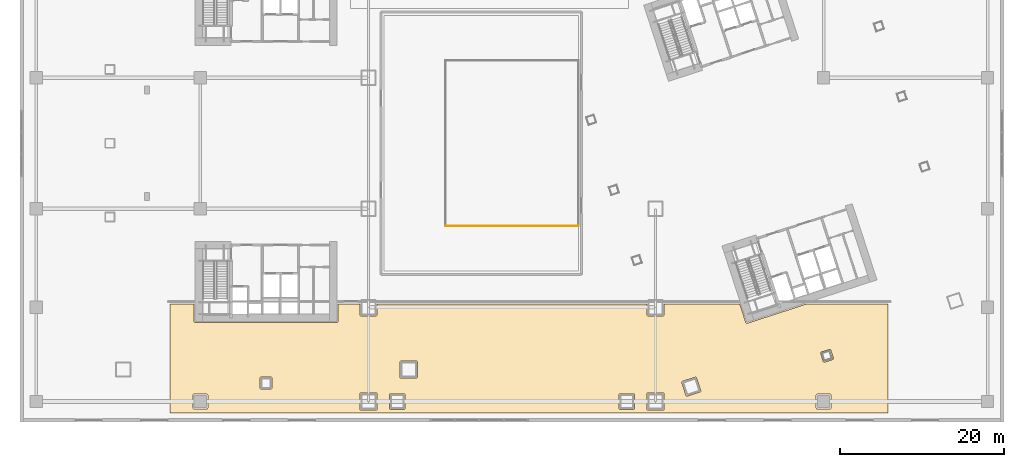
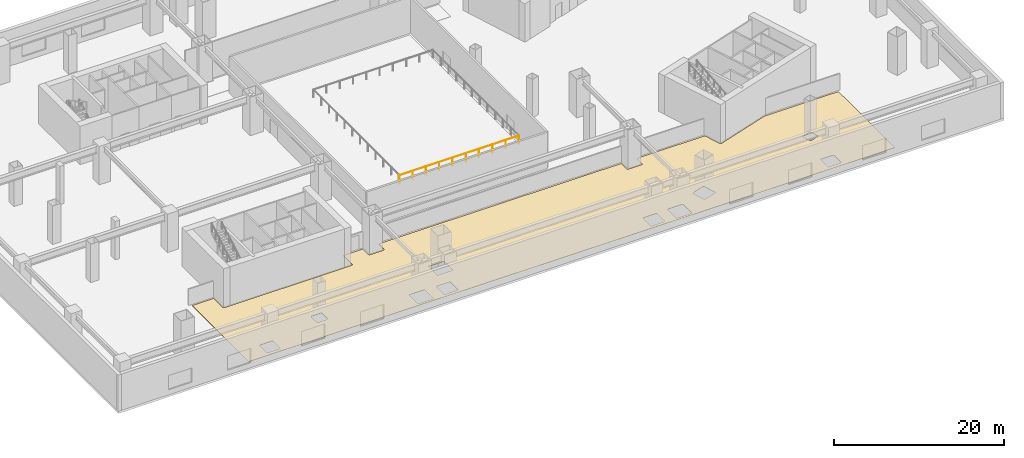
# One storey, part 31 of 35: 1 covering, 1 railing.
"""IFC4 building model written with IfcOpenShell, lengths in metres."""

from ifc_helpers import new_model, si_unit, direction, frame, origin, origin_2d, place, context, subcontext, project, spatial, polyline, circle, outline, extrude, material, layer, layer_set, type_object, element, save


model = new_model("IFC4")

# Units and contexts
model_context = context("Model", 3, precision=1e-05, world=origin(), true_north=direction((0.0, 1.0)))
body_context = subcontext(model_context, "Body", "Model", "MODEL_VIEW")
ifc_project = project(units=[si_unit("LENGTHUNIT", "METRE"), si_unit("AREAUNIT", "SQUARE_METRE"), si_unit("VOLUMEUNIT", "CUBIC_METRE"), si_unit("PLANEANGLEUNIT", "RADIAN"), si_unit("MASSUNIT", "GRAM", prefix="KILO")], contexts=[model_context])

# Site, building, storey
site_placement = place(None, origin())
site = spatial("IfcSite", under=ifc_project, at=site_placement, CompositionType="ELEMENT")
building_placement = place(site_placement, origin())
building = spatial("IfcBuilding", under=site, at=building_placement, Name="Qiaolan Cultural Towers", CompositionType="ELEMENT")
storey_placement = place(building_placement, frame((0.0, 0.0, 6.0)))
storey = spatial("IfcBuildingStorey", under=building, at=storey_placement, Name="L01", CompositionType="ELEMENT", Elevation=6.0)

# Covering
ifc_material_1 = material(Name="Honed Terrazzo & Raised Access Flooring", Category="concrete")
ifc_layer = layer(ifc_material_1, 0.0400390625)
ifc_layer_set = layer_set([ifc_layer], Name="Honed Terrazzo & Raised Access Flooring")
covering_type = type_object("IfcCoveringType", Name="COV-FLR-STONE", PredefinedType="FLOORING", material=ifc_layer_set)
covering_placement = place(storey_placement, origin())
element("IfcCovering", 1, at=covering_placement, inside=storey, type_object=covering_type, Name="L01 Auditorium South Exhibition Gallery Finish Flooring", PredefinedType="FLOORING", context=body_context, shape_type="SweptSolid", body=[
    extrude(outline(polyline([(78.550048828125, 13.070068359375), (78.54931640625, 13.058349609375), (78.547607421875, 13.046630859375), (78.544921875, 13.03515625), (78.540771484375, 13.024169921875), (78.535888671875, 13.013427734375), (78.52978515625, 13.00341796875), (78.522705078125, 12.993896484375), (78.514892578125, 12.985107421875), (78.506103515625, 12.977294921875), (78.49658203125, 12.97021484375), (78.486572265625, 12.964111328125), (78.475830078125, 12.959228515625), (78.46484375, 12.955078125), (78.453369140625, 12.952392578125), (78.441650390625, 12.95068359375), (78.429931640625, 12.949951171875), (76.570068359375, 12.949951171875), (76.558349609375, 12.95068359375), (76.546630859375, 12.952392578125), (76.53515625, 12.955078125), (76.524169921875, 12.959228515625), (76.513427734375, 12.964111328125), (76.50341796875, 12.97021484375), (76.493896484375, 12.977294921875), (76.485107421875, 12.985107421875), (76.477294921875, 12.993896484375), (76.47021484375, 13.00341796875), (76.464111328125, 13.013427734375), (76.459228515625, 13.024169921875), (76.455078125, 13.03515625), (76.452392578125, 13.046630859375), (76.45068359375, 13.058349609375), (76.449951171875, 13.070068359375), (76.449951171875, 14.3798828125), (43.550048828125, 14.3798828125), (43.550048828125, 13.070068359375), (43.54931640625, 13.058349609375), (43.547607421875, 13.046630859375), (43.544921875, 13.03515625), (43.540771484375, 13.024169921875), (43.535888671875, 13.013427734375), (43.52978515625, 13.00341796875), (43.522705078125, 12.993896484375), (43.514892578125, 12.985107421875), (43.506103515625, 12.977294921875), (43.49658203125, 12.97021484375), (43.486572265625, 12.964111328125), (43.475830078125, 12.959228515625), (43.46484375, 12.955078125), (43.453369140625, 12.952392578125), (43.441650390625, 12.95068359375), (43.429931640625, 12.949951171875), (41.570068359375, 12.949951171875), (41.558349609375, 12.95068359375), (41.546630859375, 12.952392578125), (41.53515625, 12.955078125), (41.524169921875, 12.959228515625), (41.513427734375, 12.964111328125), (41.50341796875, 12.97021484375), (41.493896484375, 12.977294921875), (41.485107421875, 12.985107421875), (41.477294921875, 12.993896484375), (41.47021484375, 13.00341796875), (41.464111328125, 13.013427734375), (41.459228515625, 13.024169921875), (41.455078125, 13.03515625), (41.452392578125, 13.046630859375), (41.45068359375, 13.058349609375), (41.449951171875, 13.070068359375), (41.449951171875, 14.3798828125), (38.77001953125, 14.3798828125), (38.77001953125, 12.25), (38.76953125, 12.23828125), (38.767578125, 12.2265625), (38.764892578125, 12.215087890625), (38.760986328125, 12.2041015625), (38.755859375, 12.193359375), (38.749755859375, 12.183349609375), (38.74267578125, 12.173828125), (38.73486328125, 12.1650390625), (38.72607421875, 12.1572265625), (38.716552734375, 12.150146484375), (38.70654296875, 12.144287109375), (38.69580078125, 12.13916015625), (38.684814453125, 12.13525390625), (38.67333984375, 12.13232421875), (38.661865234375, 12.130615234375), (38.64990234375, 12.1298828125), (21.35009765625, 12.1298828125), (21.338134765625, 12.130615234375), (21.32666015625, 12.13232421875), (21.315185546875, 12.13525390625), (21.30419921875, 12.13916015625), (21.29345703125, 12.144287109375), (21.283447265625, 12.150146484375), (21.27392578125, 12.1572265625), (21.26513671875, 12.1650390625), (21.25732421875, 12.173828125), (21.250244140625, 12.183349609375), (21.244140625, 12.193359375), (21.239013671875, 12.2041015625), (21.235107421875, 12.215087890625), (21.232421875, 12.2265625), (21.23046875, 12.23828125), (21.22998046875, 12.25), (21.22998046875, 14.3798828125), (18.320068359375, 14.3798828125), (18.320068359375, 1.1201171875), (105.8798828125, 1.1201171875), (105.8798828125, 14.3798828125), (95.858154296875, 14.3798828125), (88.669677734375, 12.044189453125), (88.658203125, 12.041259765625), (88.646484375, 12.039306640625), (88.634765625, 12.038330078125), (88.623046875, 12.038818359375), (88.611328125, 12.040283203125), (88.599853515625, 12.04296875), (88.5888671875, 12.046630859375), (88.578125, 12.051513671875), (88.56787109375, 12.057373046875), (88.55810546875, 12.064208984375), (88.54931640625, 12.072021484375), (88.541259765625, 12.08056640625), (88.533935546875, 12.08984375), (88.52783203125, 12.099853515625), (88.5224609375, 12.1103515625), (88.518310546875, 12.121337890625), (87.784423828125, 14.3798828125), (78.550048828125, 14.3798828125), (78.550048828125, 13.070068359375)]), holes=[polyline([(99.205810546875, 7.76904296875), (99.207763671875, 7.757568359375), (99.20849609375, 7.745849609375), (99.208251953125, 7.734130859375), (99.206787109375, 7.722412109375), (99.2041015625, 7.7109375), (99.2001953125, 7.69970703125), (99.195556640625, 7.68896484375), (99.189697265625, 7.6787109375), (99.182861328125, 7.669189453125), (99.175048828125, 7.66015625), (99.16650390625, 7.652099609375), (99.1572265625, 7.64501953125), (99.147216796875, 7.638671875), (99.13671875, 7.633544921875), (99.125732421875, 7.62939453125), (98.117431640625, 7.3017578125), (98.106201171875, 7.298583984375), (98.094482421875, 7.296630859375), (98.082763671875, 7.2958984375), (98.071044921875, 7.296142578125), (98.059326171875, 7.2978515625), (98.0478515625, 7.30029296875), (98.03662109375, 7.30419921875), (98.02587890625, 7.308837890625), (98.015625, 7.314697265625), (98.006103515625, 7.321533203125), (97.997314453125, 7.329345703125), (97.9892578125, 7.337890625), (97.98193359375, 7.34716796875), (97.975830078125, 7.357177734375), (97.970458984375, 7.36767578125), (97.96630859375, 7.37890625), (97.638671875, 8.386962890625), (97.6357421875, 8.398193359375), (97.6337890625, 8.409912109375), (97.6328125, 8.421630859375), (97.63330078125, 8.433349609375), (97.634765625, 8.445068359375), (97.637451171875, 8.45654296875), (97.64111328125, 8.4677734375), (97.64599609375, 8.478515625), (97.65185546875, 8.48876953125), (97.65869140625, 8.498291015625), (97.666259765625, 8.507080078125), (97.675048828125, 8.51513671875), (97.684326171875, 8.5224609375), (97.6943359375, 8.52880859375), (97.704833984375, 8.533935546875), (97.7158203125, 8.5380859375), (98.723876953125, 8.86572265625), (98.7353515625, 8.86865234375), (98.746826171875, 8.87060546875), (98.758544921875, 8.87158203125), (98.7705078125, 8.87109375), (98.781982421875, 8.86962890625), (98.79345703125, 8.866943359375), (98.8046875, 8.86328125), (98.8154296875, 8.8583984375), (98.82568359375, 8.8525390625), (98.835205078125, 8.845703125), (98.84423828125, 8.838134765625), (98.852294921875, 8.82958984375), (98.859375, 8.820068359375), (98.86572265625, 8.810302734375), (98.870849609375, 8.799560546875), (98.875, 8.78857421875), (99.20263671875, 7.780517578125), (99.205810546875, 7.76904296875)]), polyline([(97.1005859375, 3.291748046875), (97.102294921875, 3.303466796875), (97.105224609375, 3.31494140625), (97.109130859375, 3.325927734375), (97.1142578125, 3.336669921875), (97.1201171875, 3.3466796875), (97.127197265625, 3.356201171875), (97.13525390625, 3.36474609375), (97.143798828125, 3.372802734375), (97.1533203125, 3.3798828125), (97.163330078125, 3.3857421875), (97.174072265625, 3.390869140625), (97.18505859375, 3.394775390625), (97.196533203125, 3.397705078125), (97.208251953125, 3.3994140625), (97.219970703125, 3.39990234375), (98.780029296875, 3.39990234375), (98.791748046875, 3.3994140625), (98.803466796875, 3.397705078125), (98.81494140625, 3.394775390625), (98.825927734375, 3.390869140625), (98.836669921875, 3.3857421875), (98.8466796875, 3.3798828125), (98.856201171875, 3.372802734375), (98.86474609375, 3.36474609375), (98.872802734375, 3.356201171875), (98.8798828125, 3.3466796875), (98.8857421875, 3.336669921875), (98.890869140625, 3.325927734375), (98.894775390625, 3.31494140625), (98.897705078125, 3.303466796875), (98.8994140625, 3.291748046875), (98.89990234375, 3.280029296875), (98.89990234375, 1.719970703125), (98.8994140625, 1.708251953125), (98.897705078125, 1.696533203125), (98.894775390625, 1.68505859375), (98.890869140625, 1.674072265625), (98.8857421875, 1.663330078125), (98.8798828125, 1.6533203125), (98.872802734375, 1.643798828125), (98.86474609375, 1.63525390625), (98.856201171875, 1.627197265625), (98.8466796875, 1.6201171875), (98.836669921875, 1.6142578125), (98.825927734375, 1.609130859375), (98.81494140625, 1.605224609375), (98.803466796875, 1.602294921875), (98.791748046875, 1.6005859375), (98.780029296875, 1.60009765625), (97.219970703125, 1.60009765625), (97.208251953125, 1.6005859375), (97.196533203125, 1.602294921875), (97.18505859375, 1.605224609375), (97.174072265625, 1.609130859375), (97.163330078125, 1.6142578125), (97.1533203125, 1.6201171875), (97.143798828125, 1.627197265625), (97.13525390625, 1.63525390625), (97.127197265625, 1.643798828125), (97.1201171875, 1.6533203125), (97.1142578125, 1.663330078125), (97.109130859375, 1.674072265625), (97.105224609375, 1.68505859375), (97.102294921875, 1.696533203125), (97.1005859375, 1.708251953125), (97.10009765625, 1.719970703125), (97.10009765625, 3.280029296875), (97.1005859375, 3.291748046875)]), polyline([(82.36962890625, 5.48583984375), (82.38134765625, 5.48779296875), (82.39306640625, 5.48876953125), (82.40478515625, 5.48828125), (82.41650390625, 5.48681640625), (82.427978515625, 5.484130859375), (82.439208984375, 5.48046875), (82.449951171875, 5.4755859375), (82.4599609375, 5.4697265625), (82.4697265625, 5.462890625), (82.478515625, 5.455322265625), (82.486572265625, 5.446533203125), (82.493896484375, 5.437255859375), (82.5, 5.42724609375), (82.50537109375, 5.416748046875), (82.509521484375, 5.40576171875), (83.0224609375, 3.8271484375), (83.025634765625, 3.815673828125), (83.027587890625, 3.803955078125), (83.0283203125, 3.792236328125), (83.02783203125, 3.780517578125), (83.0263671875, 3.768798828125), (83.02392578125, 3.75732421875), (83.02001953125, 3.746337890625), (83.01513671875, 3.735595703125), (83.00927734375, 3.725341796875), (83.00244140625, 3.715576171875), (82.994873046875, 3.706787109375), (82.986328125, 3.69873046875), (82.97705078125, 3.69140625), (82.967041015625, 3.685302734375), (82.956298828125, 3.679931640625), (82.9453125, 3.67578125), (81.36669921875, 3.162841796875), (81.355224609375, 3.15966796875), (81.34375, 3.15771484375), (81.33203125, 3.156982421875), (81.320068359375, 3.157470703125), (81.30859375, 3.158935546875), (81.296875, 3.16162109375), (81.285888671875, 3.165283203125), (81.275146484375, 3.170166015625), (81.264892578125, 3.176025390625), (81.25537109375, 3.182861328125), (81.246337890625, 3.1904296875), (81.23828125, 3.198974609375), (81.231201171875, 3.20849609375), (81.224853515625, 3.21826171875), (81.2197265625, 3.22900390625), (81.21533203125, 3.239990234375), (80.702392578125, 4.818603515625), (80.699462890625, 4.830078125), (80.697509765625, 4.841552734375), (80.696533203125, 4.853515625), (80.697021484375, 4.865234375), (80.698486328125, 4.876953125), (80.701171875, 4.888427734375), (80.704833984375, 4.8994140625), (80.709716796875, 4.91015625), (80.715576171875, 4.92041015625), (80.722412109375, 4.929931640625), (80.72998046875, 4.93896484375), (80.73876953125, 4.947021484375), (80.748046875, 4.9541015625), (80.758056640625, 4.96044921875), (80.7685546875, 4.965576171875), (80.779541015625, 4.969970703125), (82.358154296875, 5.48291015625), (82.36962890625, 5.48583984375)]), polyline([(78.54931640625, 1.558349609375), (78.547607421875, 1.546630859375), (78.544921875, 1.53515625), (78.540771484375, 1.524169921875), (78.535888671875, 1.513427734375), (78.52978515625, 1.50341796875), (78.522705078125, 1.493896484375), (78.514892578125, 1.485107421875), (78.506103515625, 1.477294921875), (78.49658203125, 1.47021484375), (78.486572265625, 1.464111328125), (78.475830078125, 1.459228515625), (78.46484375, 1.455078125), (78.453369140625, 1.452392578125), (78.441650390625, 1.45068359375), (78.429931640625, 1.449951171875), (76.570068359375, 1.449951171875), (76.558349609375, 1.45068359375), (76.546630859375, 1.452392578125), (76.53515625, 1.455078125), (76.524169921875, 1.459228515625), (76.513427734375, 1.464111328125), (76.50341796875, 1.47021484375), (76.493896484375, 1.477294921875), (76.485107421875, 1.485107421875), (76.477294921875, 1.493896484375), (76.47021484375, 1.50341796875), (76.464111328125, 1.513427734375), (76.459228515625, 1.524169921875), (76.455078125, 1.53515625), (76.452392578125, 1.546630859375), (76.45068359375, 1.558349609375), (76.449951171875, 1.570068359375), (76.449951171875, 3.429931640625), (76.45068359375, 3.441650390625), (76.452392578125, 3.453369140625), (76.455078125, 3.46484375), (76.459228515625, 3.475830078125), (76.464111328125, 3.486572265625), (76.47021484375, 3.49658203125), (76.477294921875, 3.506103515625), (76.485107421875, 3.514892578125), (76.493896484375, 3.522705078125), (76.50341796875, 3.52978515625), (76.513427734375, 3.535888671875), (76.524169921875, 3.540771484375), (76.53515625, 3.544921875), (76.546630859375, 3.547607421875), (76.558349609375, 3.54931640625), (76.570068359375, 3.550048828125), (78.429931640625, 3.550048828125), (78.441650390625, 3.54931640625), (78.453369140625, 3.547607421875), (78.46484375, 3.544921875), (78.475830078125, 3.540771484375), (78.486572265625, 3.535888671875), (78.49658203125, 3.52978515625), (78.506103515625, 3.522705078125), (78.514892578125, 3.514892578125), (78.522705078125, 3.506103515625), (78.52978515625, 3.49658203125), (78.535888671875, 3.486572265625), (78.540771484375, 3.475830078125), (78.544921875, 3.46484375), (78.547607421875, 3.453369140625), (78.54931640625, 3.441650390625), (78.550048828125, 3.429931640625), (78.550048828125, 1.570068359375), (78.54931640625, 1.558349609375)]), polyline([(74.949462890625, 1.658203125), (74.94775390625, 1.646484375), (74.94482421875, 1.63525390625), (74.94091796875, 1.6240234375), (74.935791015625, 1.613525390625), (74.9296875, 1.603271484375), (74.9228515625, 1.593994140625), (74.914794921875, 1.585205078125), (74.906005859375, 1.5771484375), (74.896728515625, 1.5703125), (74.886474609375, 1.564208984375), (74.8759765625, 1.55908203125), (74.86474609375, 1.55517578125), (74.853515625, 1.55224609375), (74.841796875, 1.550537109375), (74.830078125, 1.550048828125), (73.169921875, 1.550048828125), (73.158203125, 1.550537109375), (73.146484375, 1.55224609375), (73.13525390625, 1.55517578125), (73.1240234375, 1.55908203125), (73.113525390625, 1.564208984375), (73.103271484375, 1.5703125), (73.093994140625, 1.5771484375), (73.085205078125, 1.585205078125), (73.0771484375, 1.593994140625), (73.0703125, 1.603271484375), (73.064208984375, 1.613525390625), (73.05908203125, 1.6240234375), (73.05517578125, 1.63525390625), (73.05224609375, 1.646484375), (73.050537109375, 1.658203125), (73.050048828125, 1.669921875), (73.050048828125, 3.330078125), (73.050537109375, 3.341796875), (73.05224609375, 3.353515625), (73.05517578125, 3.36474609375), (73.05908203125, 3.3759765625), (73.064208984375, 3.386474609375), (73.0703125, 3.396728515625), (73.0771484375, 3.406005859375), (73.085205078125, 3.414794921875), (73.093994140625, 3.4228515625), (73.103271484375, 3.4296875), (73.113525390625, 3.435791015625), (73.1240234375, 3.44091796875), (73.13525390625, 3.44482421875), (73.146484375, 3.44775390625), (73.158203125, 3.449462890625), (73.169921875, 3.449951171875), (74.830078125, 3.449951171875), (74.841796875, 3.449462890625), (74.853515625, 3.44775390625), (74.86474609375, 3.44482421875), (74.8759765625, 3.44091796875), (74.886474609375, 3.435791015625), (74.896728515625, 3.4296875), (74.906005859375, 3.4228515625), (74.914794921875, 3.414794921875), (74.9228515625, 3.406005859375), (74.9296875, 3.396728515625), (74.935791015625, 3.386474609375), (74.94091796875, 3.3759765625), (74.94482421875, 3.36474609375), (74.94775390625, 3.353515625), (74.949462890625, 3.341796875), (74.949951171875, 3.330078125), (74.949951171875, 1.669921875), (74.949462890625, 1.658203125)]), polyline([(46.458251953125, 5.3505859375), (46.446533203125, 5.352294921875), (46.43505859375, 5.355224609375), (46.424072265625, 5.359130859375), (46.413330078125, 5.3642578125), (46.4033203125, 5.3701171875), (46.393798828125, 5.377197265625), (46.38525390625, 5.38525390625), (46.377197265625, 5.393798828125), (46.3701171875, 5.4033203125), (46.3642578125, 5.413330078125), (46.359130859375, 5.424072265625), (46.355224609375, 5.43505859375), (46.352294921875, 5.446533203125), (46.3505859375, 5.458251953125), (46.35009765625, 5.469970703125), (46.35009765625, 7.330078125), (46.3505859375, 7.341796875), (46.352294921875, 7.353515625), (46.355224609375, 7.36474609375), (46.359130859375, 7.3759765625), (46.3642578125, 7.386474609375), (46.3701171875, 7.396728515625), (46.377197265625, 7.406005859375), (46.38525390625, 7.414794921875), (46.393798828125, 7.4228515625), (46.4033203125, 7.4296875), (46.413330078125, 7.435791015625), (46.424072265625, 7.44091796875), (46.43505859375, 7.44482421875), (46.446533203125, 7.44775390625), (46.458251953125, 7.449462890625), (46.469970703125, 7.449951171875), (48.330078125, 7.449951171875), (48.341796875, 7.449462890625), (48.353515625, 7.44775390625), (48.36474609375, 7.44482421875), (48.3759765625, 7.44091796875), (48.386474609375, 7.435791015625), (48.396728515625, 7.4296875), (48.406005859375, 7.4228515625), (48.414794921875, 7.414794921875), (48.4228515625, 7.406005859375), (48.4296875, 7.396728515625), (48.435791015625, 7.386474609375), (48.44091796875, 7.3759765625), (48.44482421875, 7.36474609375), (48.44775390625, 7.353515625), (48.449462890625, 7.341796875), (48.449951171875, 7.330078125), (48.449951171875, 5.469970703125), (48.449462890625, 5.458251953125), (48.44775390625, 5.446533203125), (48.44482421875, 5.43505859375), (48.44091796875, 5.424072265625), (48.435791015625, 5.413330078125), (48.4296875, 5.4033203125), (48.4228515625, 5.393798828125), (48.414794921875, 5.38525390625), (48.406005859375, 5.377197265625), (48.396728515625, 5.3701171875), (48.386474609375, 5.3642578125), (48.3759765625, 5.359130859375), (48.36474609375, 5.355224609375), (48.353515625, 5.352294921875), (48.341796875, 5.3505859375), (48.330078125, 5.35009765625), (46.469970703125, 5.35009765625), (46.458251953125, 5.3505859375)]), polyline([(46.841796875, 3.449462890625), (46.853515625, 3.44775390625), (46.86474609375, 3.44482421875), (46.8759765625, 3.44091796875), (46.886474609375, 3.435791015625), (46.896728515625, 3.4296875), (46.906005859375, 3.4228515625), (46.914794921875, 3.414794921875), (46.9228515625, 3.406005859375), (46.9296875, 3.396728515625), (46.935791015625, 3.386474609375), (46.94091796875, 3.3759765625), (46.94482421875, 3.36474609375), (46.94775390625, 3.353515625), (46.949462890625, 3.341796875), (46.949951171875, 3.330078125), (46.949951171875, 1.669921875), (46.949462890625, 1.658203125), (46.94775390625, 1.646484375), (46.94482421875, 1.63525390625), (46.94091796875, 1.6240234375), (46.935791015625, 1.613525390625), (46.9296875, 1.603271484375), (46.9228515625, 1.593994140625), (46.914794921875, 1.585205078125), (46.906005859375, 1.5771484375), (46.896728515625, 1.5703125), (46.886474609375, 1.564208984375), (46.8759765625, 1.55908203125), (46.86474609375, 1.55517578125), (46.853515625, 1.55224609375), (46.841796875, 1.550537109375), (46.830078125, 1.550048828125), (45.169921875, 1.550048828125), (45.158203125, 1.550537109375), (45.146484375, 1.55224609375), (45.13525390625, 1.55517578125), (45.1240234375, 1.55908203125), (45.113525390625, 1.564208984375), (45.103271484375, 1.5703125), (45.093994140625, 1.5771484375), (45.085205078125, 1.585205078125), (45.0771484375, 1.593994140625), (45.0703125, 1.603271484375), (45.064208984375, 1.613525390625), (45.05908203125, 1.6240234375), (45.05517578125, 1.63525390625), (45.05224609375, 1.646484375), (45.050537109375, 1.658203125), (45.050048828125, 1.669921875), (45.050048828125, 3.330078125), (45.050537109375, 3.341796875), (45.05224609375, 3.353515625), (45.05517578125, 3.36474609375), (45.05908203125, 3.3759765625), (45.064208984375, 3.386474609375), (45.0703125, 3.396728515625), (45.0771484375, 3.406005859375), (45.085205078125, 3.414794921875), (45.093994140625, 3.4228515625), (45.103271484375, 3.4296875), (45.113525390625, 3.435791015625), (45.1240234375, 3.44091796875), (45.13525390625, 3.44482421875), (45.146484375, 3.44775390625), (45.158203125, 3.449462890625), (45.169921875, 3.449951171875), (46.830078125, 3.449951171875), (46.841796875, 3.449462890625)]), polyline([(41.45068359375, 3.441650390625), (41.452392578125, 3.453369140625), (41.455078125, 3.46484375), (41.459228515625, 3.475830078125), (41.464111328125, 3.486572265625), (41.47021484375, 3.49658203125), (41.477294921875, 3.506103515625), (41.485107421875, 3.514892578125), (41.493896484375, 3.522705078125), (41.50341796875, 3.52978515625), (41.513427734375, 3.535888671875), (41.524169921875, 3.540771484375), (41.53515625, 3.544921875), (41.546630859375, 3.547607421875), (41.558349609375, 3.54931640625), (41.570068359375, 3.550048828125), (43.429931640625, 3.550048828125), (43.441650390625, 3.54931640625), (43.453369140625, 3.547607421875), (43.46484375, 3.544921875), (43.475830078125, 3.540771484375), (43.486572265625, 3.535888671875), (43.49658203125, 3.52978515625), (43.506103515625, 3.522705078125), (43.514892578125, 3.514892578125), (43.522705078125, 3.506103515625), (43.52978515625, 3.49658203125), (43.535888671875, 3.486572265625), (43.540771484375, 3.475830078125), (43.544921875, 3.46484375), (43.547607421875, 3.453369140625), (43.54931640625, 3.441650390625), (43.550048828125, 3.429931640625), (43.550048828125, 1.570068359375), (43.54931640625, 1.558349609375), (43.547607421875, 1.546630859375), (43.544921875, 1.53515625), (43.540771484375, 1.524169921875), (43.535888671875, 1.513427734375), (43.52978515625, 1.50341796875), (43.522705078125, 1.493896484375), (43.514892578125, 1.485107421875), (43.506103515625, 1.477294921875), (43.49658203125, 1.47021484375), (43.486572265625, 1.464111328125), (43.475830078125, 1.459228515625), (43.46484375, 1.455078125), (43.453369140625, 1.452392578125), (43.441650390625, 1.45068359375), (43.429931640625, 1.449951171875), (41.570068359375, 1.449951171875), (41.558349609375, 1.45068359375), (41.546630859375, 1.452392578125), (41.53515625, 1.455078125), (41.524169921875, 1.459228515625), (41.513427734375, 1.464111328125), (41.50341796875, 1.47021484375), (41.493896484375, 1.477294921875), (41.485107421875, 1.485107421875), (41.477294921875, 1.493896484375), (41.47021484375, 1.50341796875), (41.464111328125, 1.513427734375), (41.459228515625, 1.524169921875), (41.455078125, 1.53515625), (41.452392578125, 1.546630859375), (41.45068359375, 1.558349609375), (41.449951171875, 1.570068359375), (41.449951171875, 3.429931640625), (41.45068359375, 3.441650390625)]), polyline([(29.275634765625, 5.36669921875), (29.27734375, 5.37841796875), (29.2802734375, 5.389892578125), (29.2841796875, 5.40087890625), (29.2890625, 5.41162109375), (29.295166015625, 5.421630859375), (29.30224609375, 5.43115234375), (29.31005859375, 5.43994140625), (29.31884765625, 5.44775390625), (29.328369140625, 5.454833984375), (29.33837890625, 5.4609375), (29.34912109375, 5.4658203125), (29.360107421875, 5.4697265625), (29.37158203125, 5.47265625), (29.38330078125, 5.474365234375), (29.39501953125, 5.47509765625), (30.60498046875, 5.47509765625), (30.61669921875, 5.474365234375), (30.62841796875, 5.47265625), (30.639892578125, 5.4697265625), (30.65087890625, 5.4658203125), (30.66162109375, 5.4609375), (30.671630859375, 5.454833984375), (30.68115234375, 5.44775390625), (30.68994140625, 5.43994140625), (30.69775390625, 5.43115234375), (30.704833984375, 5.421630859375), (30.7109375, 5.41162109375), (30.7158203125, 5.40087890625), (30.7197265625, 5.389892578125), (30.72265625, 5.37841796875), (30.724365234375, 5.36669921875), (30.72509765625, 5.35498046875), (30.72509765625, 4.14501953125), (30.724365234375, 4.13330078125), (30.72265625, 4.12158203125), (30.7197265625, 4.110107421875), (30.7158203125, 4.09912109375), (30.7109375, 4.08837890625), (30.704833984375, 4.078369140625), (30.69775390625, 4.06884765625), (30.68994140625, 4.06005859375), (30.68115234375, 4.05224609375), (30.671630859375, 4.045166015625), (30.66162109375, 4.0390625), (30.65087890625, 4.0341796875), (30.639892578125, 4.0302734375), (30.62841796875, 4.02734375), (30.61669921875, 4.025634765625), (30.60498046875, 4.02490234375), (29.39501953125, 4.02490234375), (29.38330078125, 4.025634765625), (29.37158203125, 4.02734375), (29.360107421875, 4.0302734375), (29.34912109375, 4.0341796875), (29.33837890625, 4.0390625), (29.328369140625, 4.045166015625), (29.31884765625, 4.05224609375), (29.31005859375, 4.06005859375), (29.30224609375, 4.06884765625), (29.295166015625, 4.078369140625), (29.2890625, 4.08837890625), (29.2841796875, 4.09912109375), (29.2802734375, 4.110107421875), (29.27734375, 4.12158203125), (29.275634765625, 4.13330078125), (29.27490234375, 4.14501953125), (29.27490234375, 5.35498046875), (29.275634765625, 5.36669921875)]), polyline([(21.208251953125, 1.6005859375), (21.196533203125, 1.602294921875), (21.18505859375, 1.605224609375), (21.174072265625, 1.609130859375), (21.163330078125, 1.6142578125), (21.1533203125, 1.6201171875), (21.143798828125, 1.627197265625), (21.13525390625, 1.63525390625), (21.127197265625, 1.643798828125), (21.1201171875, 1.6533203125), (21.1142578125, 1.663330078125), (21.109130859375, 1.674072265625), (21.105224609375, 1.68505859375), (21.102294921875, 1.696533203125), (21.1005859375, 1.708251953125), (21.10009765625, 1.719970703125), (21.10009765625, 3.280029296875), (21.1005859375, 3.291748046875), (21.102294921875, 3.303466796875), (21.105224609375, 3.31494140625), (21.109130859375, 3.325927734375), (21.1142578125, 3.336669921875), (21.1201171875, 3.3466796875), (21.127197265625, 3.356201171875), (21.13525390625, 3.36474609375), (21.143798828125, 3.372802734375), (21.1533203125, 3.3798828125), (21.163330078125, 3.3857421875), (21.174072265625, 3.390869140625), (21.18505859375, 3.394775390625), (21.196533203125, 3.397705078125), (21.208251953125, 3.3994140625), (21.219970703125, 3.39990234375), (22.780029296875, 3.39990234375), (22.791748046875, 3.3994140625), (22.803466796875, 3.397705078125), (22.81494140625, 3.394775390625), (22.825927734375, 3.390869140625), (22.836669921875, 3.3857421875), (22.8466796875, 3.3798828125), (22.856201171875, 3.372802734375), (22.86474609375, 3.36474609375), (22.872802734375, 3.356201171875), (22.8798828125, 3.3466796875), (22.8857421875, 3.336669921875), (22.890869140625, 3.325927734375), (22.894775390625, 3.31494140625), (22.897705078125, 3.303466796875), (22.8994140625, 3.291748046875), (22.89990234375, 3.280029296875), (22.89990234375, 1.719970703125), (22.8994140625, 1.708251953125), (22.897705078125, 1.696533203125), (22.894775390625, 1.68505859375), (22.890869140625, 1.674072265625), (22.8857421875, 1.663330078125), (22.8798828125, 1.6533203125), (22.872802734375, 1.643798828125), (22.86474609375, 1.63525390625), (22.856201171875, 1.627197265625), (22.8466796875, 1.6201171875), (22.836669921875, 1.6142578125), (22.825927734375, 1.609130859375), (22.81494140625, 1.605224609375), (22.803466796875, 1.602294921875), (22.791748046875, 1.6005859375), (22.780029296875, 1.60009765625), (21.219970703125, 1.60009765625), (21.208251953125, 1.6005859375)])]), origin(), (0.0, 0.0, 1.0), 0.0400390625),
])

# Railing
ifc_material_2 = material(Name="Laminated SentryGlas & Stainless Steel S31608 Balustrade", Category="steel")
railing_type = type_object("IfcRailingType", Name="GRD-TERR-1200", PredefinedType="BALUSTRADE", material=ifc_material_2)
railing_placement = place(storey_placement, frame((51.89990234375, 23.89990234375, 0.0)))
element("IfcRailing", 2, at=railing_placement, inside=storey, type_object=railing_type, Name="L01 Metro Concourse Lightwell Balustrade S", PredefinedType="BALUSTRADE", context=body_context, shape_type="SweptSolid", body=[
    extrude(circle(Radius=0.02392578125, at=origin_2d()), frame((0.0, 0.0, 1.17578125), z_axis=(1.0, 0.0, 0.0), x_axis=(0.0, 1.0, 0.0)), (0.0, 0.0, 1.0), 16.2001953125),
    extrude(circle(Radius=0.02099609375, at=origin_2d()), origin(), (0.0, 0.0, 1.0), 1.15185546875),
    extrude(circle(Radius=0.02099609375, at=origin_2d()), frame((1.800048828125, 0.0, 0.0)), (0.0, 0.0, 1.0), 1.15185546875),
    extrude(circle(Radius=0.02099609375, at=origin_2d()), frame((3.60009765625, 0.0, 0.0)), (0.0, 0.0, 1.0), 1.15185546875),
    extrude(circle(Radius=0.02099609375, at=origin_2d()), frame((5.400146484375, 0.0, 0.0)), (0.0, 0.0, 1.0), 1.15185546875),
    extrude(circle(Radius=0.02099609375, at=origin_2d()), frame((7.2001953125, 0.0, 0.0)), (0.0, 0.0, 1.0), 1.15185546875),
    extrude(circle(Radius=0.02099609375, at=origin_2d()), frame((9.0, 0.0, 0.0)), (0.0, 0.0, 1.0), 1.15185546875),
    extrude(circle(Radius=0.02099609375, at=origin_2d()), frame((10.800048828125, 0.0, 0.0)), (0.0, 0.0, 1.0), 1.15185546875),
    extrude(circle(Radius=0.02099609375, at=origin_2d()), frame((12.60009765625, 0.0, 0.0)), (0.0, 0.0, 1.0), 1.15185546875),
    extrude(circle(Radius=0.02099609375, at=origin_2d()), frame((14.400146484375, 0.0, 0.0)), (0.0, 0.0, 1.0), 1.15185546875),
    extrude(circle(Radius=0.02099609375, at=origin_2d()), frame((16.2001953125, 0.0, 0.0)), (0.0, 0.0, 1.0), 1.15185546875),
])

save(model, "model.ifc")
